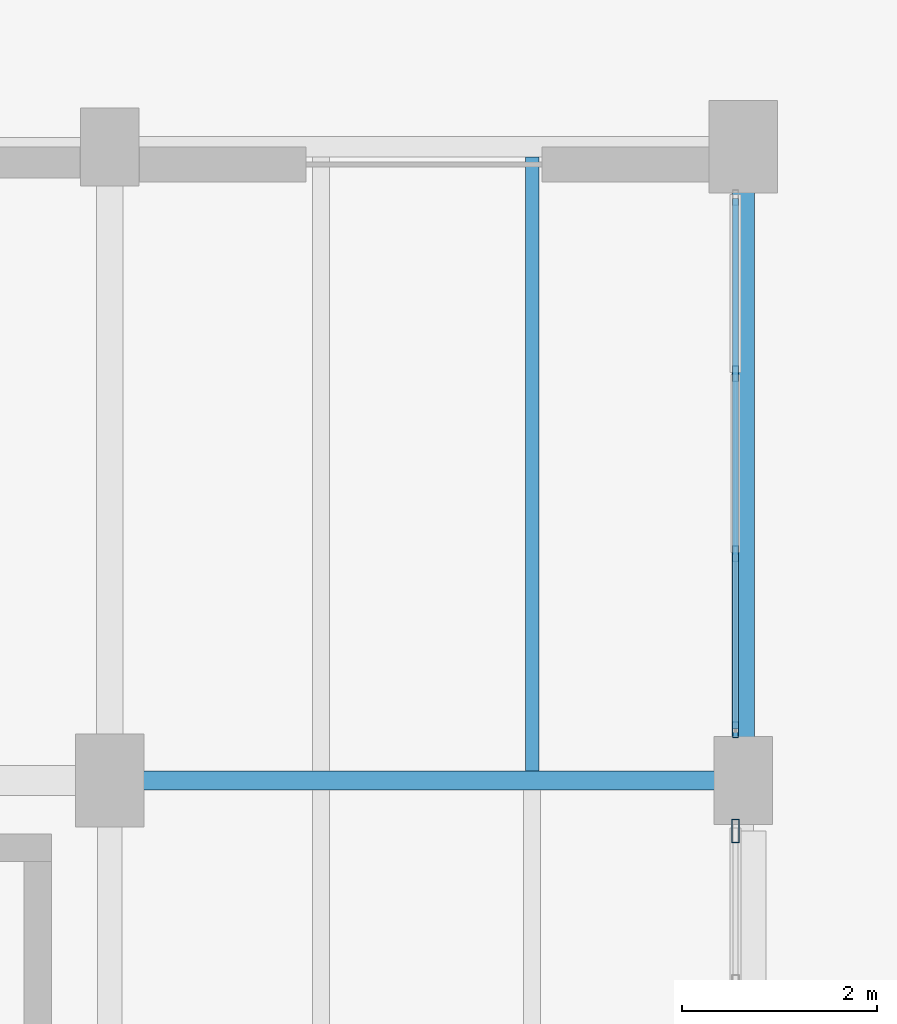
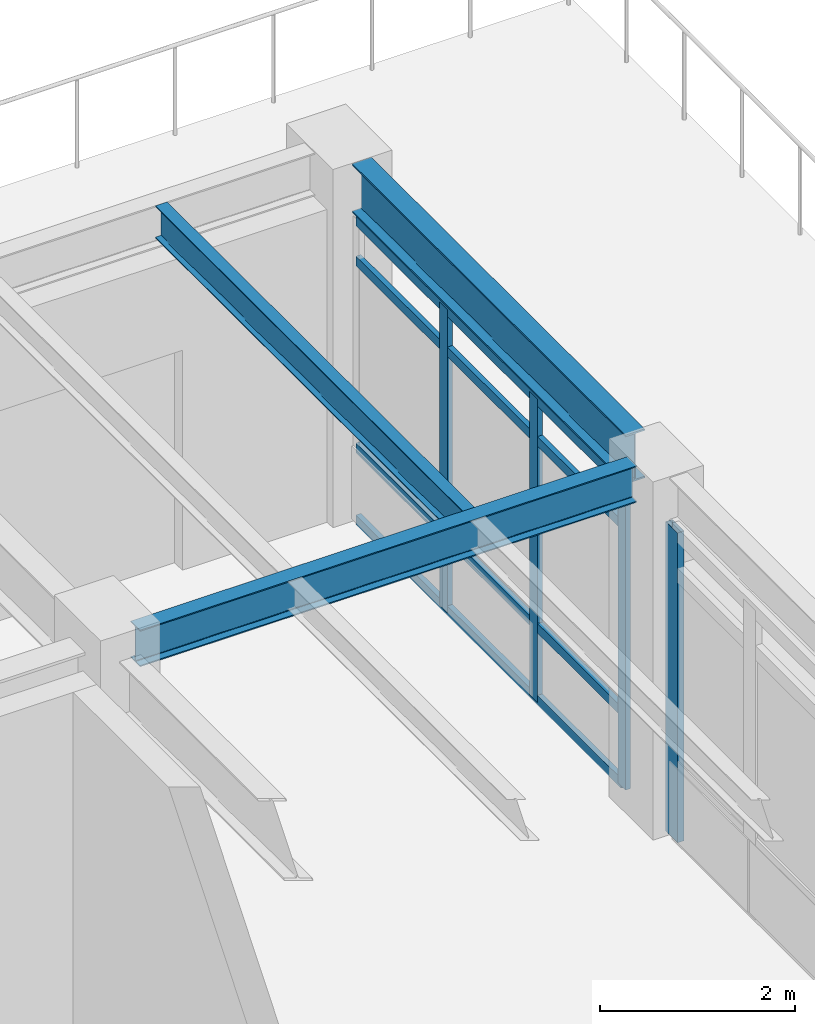
# One storey, part 127 of 200: 8 members, 3 beams, 2 elements without a shape of their own.
"""IFC4 building model written with IfcOpenShell, lengths in metres."""

from ifc_helpers import new_model, si_unit, direction, frame, origin, origin_2d, place, context, subcontext, project, spatial, hollow_rectangle, i_section, extrude, material, material_profile, profile_set, type_object, element, aggregate, save


model = new_model("IFC4")

# Units and contexts
model_context = context("Model", 3, precision=1e-05, world=origin(), true_north=direction((0.0, 1.0)))
body_context = subcontext(model_context, "Body", "Model", "MODEL_VIEW")
ifc_project = project(units=[si_unit("LENGTHUNIT", "METRE"), si_unit("AREAUNIT", "SQUARE_METRE"), si_unit("VOLUMEUNIT", "CUBIC_METRE"), si_unit("PLANEANGLEUNIT", "RADIAN"), si_unit("MASSUNIT", "GRAM", prefix="KILO"), si_unit("THERMODYNAMICTEMPERATUREUNIT", "KELVIN"), si_unit("POWERUNIT", "WATT")], contexts=[model_context])

# Site, building, storey
site_placement = place(None, origin())
site = spatial("IfcSite", under=ifc_project, at=site_placement, CompositionType="ELEMENT")
building_placement = place(site_placement, origin())
building = spatial("IfcBuilding", under=site, at=building_placement, Name="Tepalcoro Natatorium and Aquatics Centre", CompositionType="ELEMENT")
storey_placement = place(building_placement, frame((0.0, 0.0, 5.39990234375)))
storey = spatial("IfcBuildingStorey", under=building, at=storey_placement, Name="L01", CompositionType="ELEMENT", Elevation=5.39990234375)

# Beam
ifc_material_1 = material(Name="Steel ASTM A992 Grade 50 (Fy 345 MPa)", Category="steel")
ifc_material_profile_1 = material_profile(ifc_material_1, i_section(OverallWidth=0.19091796875, OverallDepth=0.45703125, WebThickness=0.009033203125, FlangeThickness=0.013916015625, FilletRadius=0.013916015625, at=origin_2d()), Name="W18X50")
ifc_profile_set_1 = profile_set([ifc_material_profile_1], Name="Steel ASTM A992 Grade 50 (Fy 345 MPa)")
beam_type_1 = type_object("IfcBeamType", Name="BM_W18x50", PredefinedType="BEAM", material=ifc_profile_set_1)
beam_1_placement = place(storey_placement, frame((125.3349609375, 59.0, 4.236572265625), z_axis=(1.0, 0.0, 0.0), x_axis=(0.0, 1.0, 0.0)))
element("IfcBeam", 1, at=beam_1_placement, inside=storey, type_object=beam_type_1, Name="V1 L01 Grid Girder X", PredefinedType="BEAM", context=body_context, shape_type="SweptSolid", body=[
    extrude(i_section(OverallWidth=0.19091796875, OverallDepth=0.45703125, WebThickness=0.009033203125, FlangeThickness=0.013916015625, FilletRadius=0.013916015625, at=origin_2d()), origin(), (0.0, 0.0, 1.0), 5.880126953125),
])

# Curtain wall, members
ifc_material_2 = material(Name="Bronze-Anodised Extruded Aluminium Alloy EN AW-6063 T6", Category="aluminium")
curtain_wall_type_1 = type_object("IfcCurtainWallType", Name="CW_V5_LOWER", PredefinedType="USERDEFINED", material=ifc_material_2)
curtain_wall_1_placement = place(storey_placement, origin())
curtain_wall_1 = element("IfcCurtainWall", 2, at=curtain_wall_1_placement, inside=storey, type_object=curtain_wall_type_1, Name="V1 L01 E Unitised Curtain Wall Bay 8", ObjectType="UNITISED STOREFRONT", PredefinedType="USERDEFINED")
ifc_material_profile_2 = material_profile(ifc_material_2, hollow_rectangle(XDim=0.06005859375, YDim=0.159912109375, WallThickness=0.00390625, at=origin_2d()), Name="AL60X160X4")
ifc_profile_set_2 = profile_set([ifc_material_profile_2], Name="Bronze-Anodised Extruded Aluminium Alloy EN AW-6063 T6")
member_type_1 = type_object("IfcMemberType", Name="CW_MUL_60x160", PredefinedType="MULLION", material=ifc_profile_set_2)
member_1_placement = place(storey_placement, frame((131.419921875, 59.52001953125, 0.02001953125), z_axis=(0.0, 0.0, 1.0), x_axis=(1.0, 0.0, 0.0)))
member_1 = element("IfcMember", 3, at=member_1_placement, type_object=member_type_1, Name="CW_V5_LOWER Curtain Wall Mullion", PredefinedType="MULLION", context=body_context, shape_type="SweptSolid", body=[
    extrude(hollow_rectangle(XDim=0.06005859375, YDim=0.159912109375, WallThickness=0.00390625, at=origin_2d()), origin(), (0.0, 0.0, 1.0), 3.798095703125),
])
member_2_placement = place(storey_placement, frame((131.419921875, 61.32666015625, 0.02001953125), z_axis=(0.0, 0.0, 1.0), x_axis=(1.0, 0.0, 0.0)))
member_2 = element("IfcMember", 4, at=member_2_placement, type_object=member_type_1, Name="CW_V5_LOWER Curtain Wall Mullion", PredefinedType="MULLION", context=body_context, shape_type="SweptSolid", body=[
    extrude(hollow_rectangle(XDim=0.06005859375, YDim=0.159912109375, WallThickness=0.00390625, at=origin_2d()), origin(), (0.0, 0.0, 1.0), 3.798095703125),
])
member_3_placement = place(storey_placement, frame((131.419921875, 63.17333984375, 0.02001953125), z_axis=(0.0, 0.0, 1.0), x_axis=(1.0, 0.0, 0.0)))
member_3 = element("IfcMember", 5, at=member_3_placement, type_object=member_type_1, Name="CW_V5_LOWER Curtain Wall Mullion", PredefinedType="MULLION", context=body_context, shape_type="SweptSolid", body=[
    extrude(hollow_rectangle(XDim=0.06005859375, YDim=0.159912109375, WallThickness=0.00390625, at=origin_2d()), origin(), (0.0, 0.0, 1.0), 3.798095703125),
])

# Curtain wall, member
curtain_wall_type_2 = type_object("IfcCurtainWallType", Name="CW_V4_VILLAGE", PredefinedType="USERDEFINED", material=ifc_material_2)
curtain_wall_2_placement = place(storey_placement, origin())
curtain_wall_2 = element("IfcCurtainWall", 6, at=curtain_wall_2_placement, inside=storey, type_object=curtain_wall_type_2, Name="V1 L01 E Unitised Curtain Wall Bay 7", ObjectType="UNITISED STOREFRONT", PredefinedType="USERDEFINED")
ifc_material_profile_3 = material_profile(ifc_material_2, hollow_rectangle(XDim=0.080078125, YDim=0.239990234375, WallThickness=0.0048828125, at=origin_2d()), Name="AL80X240X5")
ifc_profile_set_3 = profile_set([ifc_material_profile_3], Name="Bronze-Anodised Extruded Aluminium Alloy EN AW-6063 T6")
member_type_2 = type_object("IfcMemberType", Name="CW_MUL_80x240", PredefinedType="MULLION", material=ifc_profile_set_3)
member_4_placement = place(storey_placement, frame((131.419921875, 58.47998046875, 0.02001953125), z_axis=(0.0, 0.0, 1.0), x_axis=(1.0, 0.0, 0.0)))
member_4 = element("IfcMember", 7, at=member_4_placement, type_object=member_type_2, Name="CW_V4_VILLAGE Curtain Wall Mullion", PredefinedType="MULLION", context=body_context, shape_type="SweptSolid", body=[
    extrude(hollow_rectangle(XDim=0.080078125, YDim=0.239990234375, WallThickness=0.0048828125, at=origin_2d()), origin(), (0.0, 0.0, 1.0), 3.8740234375),
])
aggregate(curtain_wall_2, [member_4])

# Member
ifc_material_profile_4 = material_profile(ifc_material_2, hollow_rectangle(XDim=0.06005859375, YDim=0.1201171875, WallThickness=0.00390625, at=origin_2d()), Name="AL60X120X4")
ifc_profile_set_4 = profile_set([ifc_material_profile_4], Name="Bronze-Anodised Extruded Aluminium Alloy EN AW-6063 T6")
member_type_3 = type_object("IfcMemberType", Name="CW_TRN_60x120", PredefinedType="USERDEFINED", material=ifc_profile_set_4)
member_5_placement = place(storey_placement, frame((131.419921875, 59.530029296875, 0.050048828125), z_axis=(0.0, 1.0, 0.0), x_axis=(-1.0, 0.0, 0.0)))
member_5 = element("IfcMember", 8, at=member_5_placement, type_object=member_type_3, Name="CW_V5_LOWER Curtain Wall Transom", ObjectType="TRANSOM", PredefinedType="USERDEFINED", context=body_context, shape_type="SweptSolid", body=[
    extrude(hollow_rectangle(XDim=0.06005859375, YDim=0.1201171875, WallThickness=0.00390625, at=origin_2d()), origin(), (0.0, 0.0, 1.0), 5.43994140625),
])

member_6_placement = place(storey_placement, frame((131.419921875, 59.530029296875, 0.9501953125), z_axis=(0.0, 1.0, 0.0), x_axis=(-1.0, 0.0, 0.0)))
member_6 = element("IfcMember", 9, at=member_6_placement, type_object=member_type_3, Name="CW_V5_LOWER Curtain Wall Transom", ObjectType="TRANSOM", PredefinedType="USERDEFINED", context=body_context, shape_type="SweptSolid", body=[
    extrude(hollow_rectangle(XDim=0.06005859375, YDim=0.1201171875, WallThickness=0.00390625, at=origin_2d()), origin(), (0.0, 0.0, 1.0), 5.43994140625),
])

member_7_placement = place(storey_placement, frame((131.419921875, 59.530029296875, 3.2880859375), z_axis=(0.0, 1.0, 0.0), x_axis=(-1.0, 0.0, 0.0)))
member_7 = element("IfcMember", 10, at=member_7_placement, type_object=member_type_3, Name="CW_V5_LOWER Curtain Wall Transom", ObjectType="TRANSOM", PredefinedType="USERDEFINED", context=body_context, shape_type="SweptSolid", body=[
    extrude(hollow_rectangle(XDim=0.06005859375, YDim=0.1201171875, WallThickness=0.00390625, at=origin_2d()), origin(), (0.0, 0.0, 1.0), 5.43994140625),
])

member_8_placement = place(storey_placement, frame((131.419921875, 59.530029296875, 3.7880859375), z_axis=(0.0, 1.0, 0.0), x_axis=(-1.0, 0.0, 0.0)))
member_8 = element("IfcMember", 11, at=member_8_placement, type_object=member_type_3, Name="CW_V5_LOWER Curtain Wall Transom", ObjectType="TRANSOM", PredefinedType="USERDEFINED", context=body_context, shape_type="SweptSolid", body=[
    extrude(hollow_rectangle(XDim=0.06005859375, YDim=0.1201171875, WallThickness=0.00390625, at=origin_2d()), origin(), (0.0, 0.0, 1.0), 5.43994140625),
])

aggregate(curtain_wall_1, [member_1, member_2, member_3, member_5, member_6, member_7, member_8])

# Beams
ifc_material_profile_5 = material_profile(ifc_material_1, i_section(OverallWidth=0.139892578125, OverallDepth=0.404052734375, WebThickness=0.007080078125, FlangeThickness=0.010986328125, FilletRadius=0.013916015625, at=origin_2d()), Name="W16X31")
ifc_profile_set_5 = profile_set([ifc_material_profile_5], Name="Steel ASTM A992 Grade 50 (Fy 345 MPa)")
beam_type_2 = type_object("IfcBeamType", Name="JS_W16x31", PredefinedType="JOIST", material=ifc_profile_set_5)
beam_2_placement = place(storey_placement, frame((129.333251953125, 59.095458984375, 4.26318359375), z_axis=(0.0, 1.0, 0.0), x_axis=(-1.0, 0.0, 0.0)))
element("IfcBeam", 12, at=beam_2_placement, inside=storey, type_object=beam_type_2, Name="V1 L01 Floor Joist", PredefinedType="JOIST", context=body_context, shape_type="SweptSolid", body=[
    extrude(i_section(OverallWidth=0.139892578125, OverallDepth=0.404052734375, WebThickness=0.007080078125, FlangeThickness=0.010986328125, FilletRadius=0.013916015625, at=origin_2d()), origin(), (0.0, 0.0, 1.0), 6.299560546875),
])
ifc_material_profile_6 = material_profile(ifc_material_1, i_section(OverallWidth=0.22900390625, OverallDepth=0.612060546875, WebThickness=0.011962890625, FlangeThickness=0.02001953125, FilletRadius=0.013916015625, at=origin_2d()), Name="W24X84")
ifc_profile_set_6 = profile_set([ifc_material_profile_6], Name="Steel ASTM A992 Grade 50 (Fy 345 MPa)")
beam_type_3 = type_object("IfcBeamType", Name="SP_W24x84", PredefinedType="SPANDREL", material=ifc_profile_set_6)
beam_3_placement = place(storey_placement, frame((131.5, 59.43505859375, 4.1591796875), z_axis=(0.0, 1.0, 0.0), x_axis=(-1.0, 0.0, 0.0)))
element("IfcBeam", 13, at=beam_3_placement, inside=storey, type_object=beam_type_3, Name="V1 L01 Grid Girder Y", PredefinedType="SPANDREL", context=body_context, shape_type="SweptSolid", body=[
    extrude(i_section(OverallWidth=0.22900390625, OverallDepth=0.612060546875, WebThickness=0.011962890625, FlangeThickness=0.02001953125, FilletRadius=0.013916015625, at=origin_2d()), origin(), (0.0, 0.0, 1.0), 5.60498046875),
])

save(model, "model.ifc")
